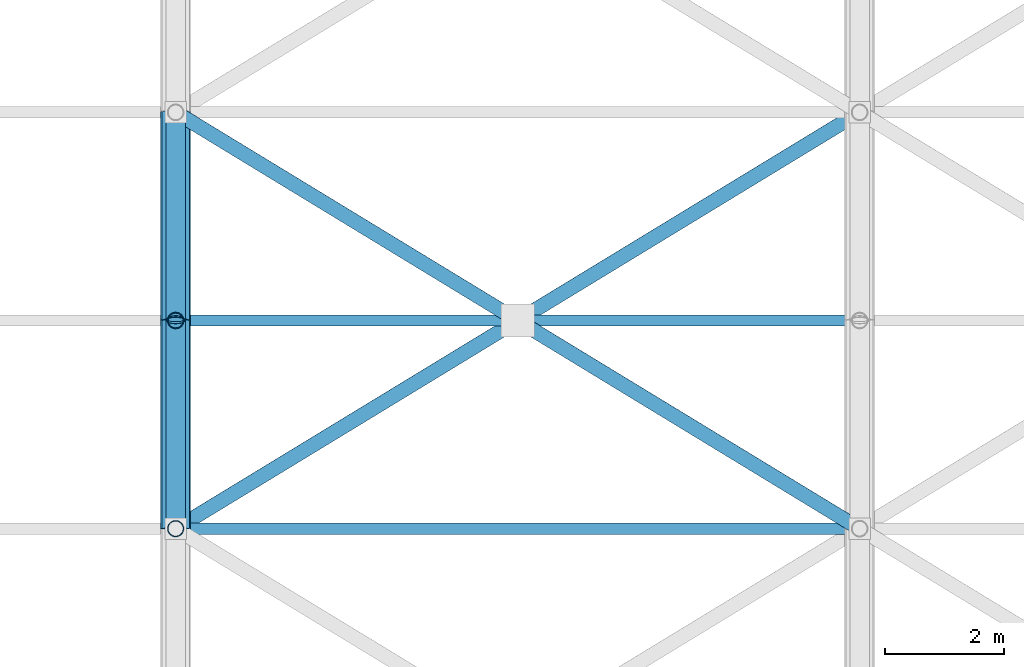
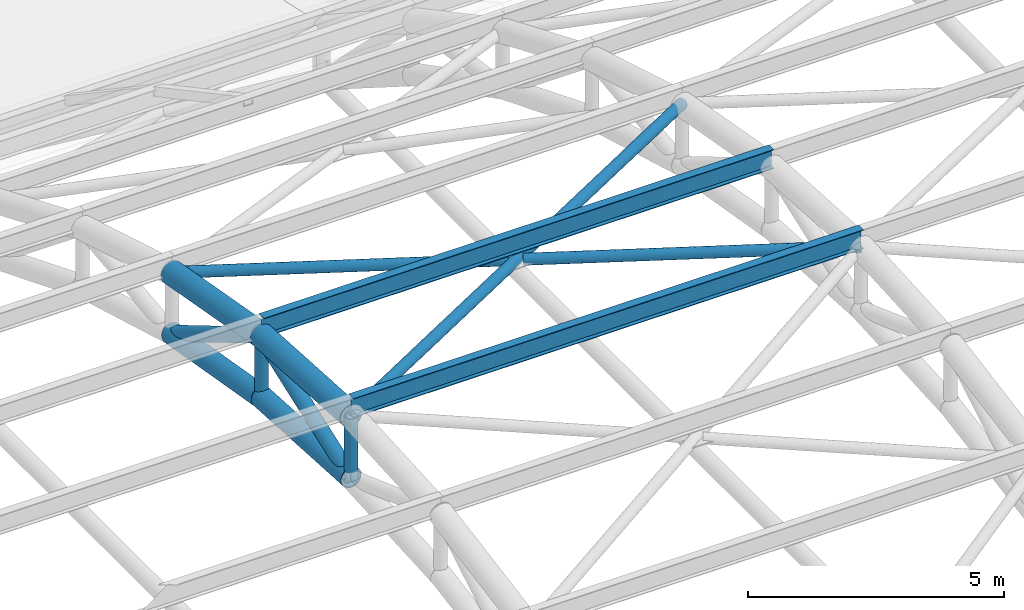
# One storey, part 54 of 154: 13 members.
"""IFC4 building model written with IfcOpenShell, lengths in metres."""

import ifcopenshell
import ifcopenshell.guid

model = None  # the IFC model being written
_history = None  # IfcOwnerHistory: only IFC2X3 demands one
_inside = {}  # id of a spatial element -> (the spatial element, [elements in it])
_under = {}  # id of a project, library or spatial element -> (it, [spatial elements below it])
_declared = {}  # id of a project -> (the project, [libraries it declares])
_typed = {}  # id of a type object -> (the type object, [elements of that type])
_made_of = {}  # id of a material, layer set ... -> (it, [elements and type objects made of it])


def new_model(schema):
    """Start an empty IFC model of exactly this schema.

    Asked for "IFC4X3", IfcOpenShell would pick the latest addendum, in which some entities
    have other attributes; the version numbers below select the first issue.
    IFC2X3 requires an IfcOwnerHistory on every rooted entity: one is made here for all.
    """
    global model, _history
    if schema == "IFC4X3":
        model = ifcopenshell.file(schema_version=(4, 3, 0, 0))
    else:
        model = ifcopenshell.file(schema=schema)
    _inside.clear()
    _under.clear()
    _declared.clear()
    _typed.clear()
    _made_of.clear()
    _history = None
    if model.schema == "IFC2X3":
        org = make("IfcOrganization", Name="unknown")
        user = make(
            "IfcPersonAndOrganization",
            ThePerson=make("IfcPerson", FamilyName="unknown"),
            TheOrganization=org,
        )
        app = make(
            "IfcApplication",
            ApplicationDeveloper=org,
            Version="unknown",
            ApplicationFullName="unknown",
            ApplicationIdentifier="unknown",
        )
        _history = make(
            "IfcOwnerHistory",
            OwningUser=user,
            OwningApplication=app,
            ChangeAction="ADDED",
            CreationDate=0,
        )
    return model


def make(cls, **values):
    """One entity of the class cls with the attributes given. An attribute that is None is left unset."""
    return model.create_entity(
        cls, **{name: value for name, value in values.items() if value is not None}
    )


def rooted(cls, **values):
    """An entity with a GlobalId (a new one), such as an element, a storey or a relation."""
    return make(cls, GlobalId=ifcopenshell.guid.new(), OwnerHistory=_history, **values)


def si_unit(unit_type, name, prefix=None):
    """IfcSIUnit, for example si_unit("LENGTHUNIT", "METRE", prefix="MILLI")."""
    return make("IfcSIUnit", UnitType=unit_type, Prefix=prefix, Name=name)


def assignment(units):
    """IfcUnitAssignment: the units of a project."""
    return None if units is None else make("IfcUnitAssignment", Units=units)


def point(xyz):
    """IfcCartesianPoint."""
    return None if xyz is None else make("IfcCartesianPoint", Coordinates=xyz)


def direction(xyz):
    """IfcDirection."""
    return None if xyz is None else make("IfcDirection", DirectionRatios=xyz)


def frame(location, z_axis=None, x_axis=None):
    """IfcAxis2Placement3D, a coordinate frame: its origin and axes. An axis left out is left unset."""
    return make(
        "IfcAxis2Placement3D",
        Location=point(location),
        Axis=direction(z_axis),
        RefDirection=direction(x_axis),
    )


def frame_2d(location, x_axis=None):
    """IfcAxis2Placement2D, a coordinate frame in the plane: its origin and x axis."""
    return make(
        "IfcAxis2Placement2D", Location=point(location), RefDirection=direction(x_axis)
    )


def origin():
    """The frame at (0, 0, 0) with its axes left unset."""
    return frame((0.0, 0.0, 0.0))


def origin_2d():
    """The frame at (0, 0) in the plane with its x axis left unset."""
    return frame_2d((0.0, 0.0))


def place(relative_to, where):
    """IfcLocalPlacement: puts the frame where relative to a parent placement (None: the world)."""
    return make(
        "IfcLocalPlacement", PlacementRelTo=relative_to, RelativePlacement=where
    )


def context(
    kind, dimensions, precision=None, world=None, true_north=None, identifier=None
):
    """IfcGeometricRepresentationContext, for example the 3D "Model" context."""
    return make(
        "IfcGeometricRepresentationContext",
        ContextIdentifier=identifier,
        ContextType=kind,
        CoordinateSpaceDimension=dimensions,
        Precision=precision,
        WorldCoordinateSystem=world,
        TrueNorth=true_north,
    )


def subcontext(parent, identifier, kind, view, scale=None):
    """IfcGeometricRepresentationSubContext, for example "Body" below "Model"."""
    return make(
        "IfcGeometricRepresentationSubContext",
        ContextIdentifier=identifier,
        ContextType=kind,
        ParentContext=parent,
        TargetScale=scale,
        TargetView=view,
    )


def project(units=None, contexts=None):
    """IfcProject with its units and contexts."""
    return rooted(
        "IfcProject",
        Name="project",
        RepresentationContexts=contexts,
        UnitsInContext=assignment(units),
    )


def spatial(cls, under=None, at=None, **own):
    """A site, building, storey or space (cls), placed at a placement, below another one or the project."""
    s = rooted(cls, ObjectPlacement=at, **own)
    if under is not None:
        _under.setdefault(under.id(), (under, []))[1].append(s)
    return s


def profile(cls, at=None, kind="AREA", **sizes):
    """A parametric profile (cls). Its sizes go by their IFC names, for example OverallWidth=200.0."""
    return make(cls, ProfileType=kind, Position=at, **sizes)


def hollow_circle(**sizes):
    """IfcCircleHollowProfileDef."""
    return profile("IfcCircleHollowProfileDef", **sizes)


def i_section(**sizes):
    """IfcIShapeProfileDef."""
    return profile("IfcIShapeProfileDef", **sizes)


def extrude(swept, where, along, depth):
    """IfcExtrudedAreaSolid: the profile swept, set in the frame where, extruded along a direction by depth."""
    return make(
        "IfcExtrudedAreaSolid",
        SweptArea=swept,
        Position=where,
        ExtrudedDirection=direction(along),
        Depth=depth,
    )


def shape(context_of_items, identifier, shape_type, items):
    """IfcShapeRepresentation: the items that make up one representation, for example the "Body"."""
    return make(
        "IfcShapeRepresentation",
        ContextOfItems=context_of_items,
        RepresentationIdentifier=identifier,
        RepresentationType=shape_type,
        Items=items,
    )


def material(Name=None, Category=None):
    """IfcMaterial."""
    return make("IfcMaterial", Name=Name, Category=Category)


def material_profile(
    of_material, cross_section, Name=None, Category=None, Priority=None
):
    """IfcMaterialProfile: a cross section and its material."""
    return make(
        "IfcMaterialProfile",
        Name=Name,
        Material=of_material,
        Profile=cross_section,
        Priority=Priority,
        Category=Category,
    )


def profile_set(profiles, Name=None, composite=None):
    """IfcMaterialProfileSet."""
    return make(
        "IfcMaterialProfileSet",
        Name=Name,
        MaterialProfiles=profiles,
        CompositeProfile=composite,
    )


def made_of(thing, what):
    """Note that an element or type object is made of a material, layer set ...; save() writes the relation."""
    if what is not None:
        _made_of.setdefault(what.id(), (what, []))[1].append(thing)
    return thing


def type_object(cls, material=None, **own):
    """A type object (cls), such as IfcWallType, which elements share."""
    return made_of(rooted(cls, **own), material)


def element(
    cls,
    number,
    at=None,
    inside=None,
    cuts=None,
    type_object=None,
    material=None,
    context=None,
    identifier="Body",
    shape_type=None,
    held_by="IfcProductDefinitionShape",
    body=None,
    shapes=None,
    **own,
):
    """One element of the class cls, such as IfcWall. Its Tag is "e" and its number.

    at: its placement. inside: the storey or other place that contains it. cuts: it is an
    opening in that element (IfcRelVoidsElement). A single representation is given by context,
    identifier, shape_type and body (its items); several are given by shapes. held_by: the class
    of the entity that holds the representations. save() writes the other relations.
    """
    e = rooted(cls, Tag="e%d" % number, ObjectPlacement=at, **own)
    if body is not None:
        shapes = [shape(context, identifier, shape_type, body)]
    if shapes is not None:
        e.Representation = make(held_by, Representations=shapes)
    if inside is not None:
        _inside.setdefault(inside.id(), (inside, []))[1].append(e)
    if cuts is not None:
        rooted(
            "IfcRelVoidsElement", RelatingBuildingElement=cuts, RelatedOpeningElement=e
        )
    if type_object is not None:
        _typed.setdefault(type_object.id(), (type_object, []))[1].append(e)
    return made_of(e, material)


def aggregate(whole, parts):
    """IfcRelAggregates: a whole, such as a stair, and the parts it consists of."""
    return rooted("IfcRelAggregates", RelatingObject=whole, RelatedObjects=parts)


def save(model, path):
    """Write the relations noted so far, then the file.

    IfcRelAggregates (storeys below a building ...), IfcRelContainedInSpatialStructure (elements
    in a storey), IfcRelDefinesByType, IfcRelAssociatesMaterial and IfcRelDeclares: one each for
    every whole, place, type object, material and project.
    """
    for whole, parts in _under.values():
        aggregate(whole, parts)
    for where, things in _inside.values():
        rooted(
            "IfcRelContainedInSpatialStructure",
            RelatedElements=things,
            RelatingStructure=where,
        )
    for kind, things in _typed.values():
        rooted("IfcRelDefinesByType", RelatedObjects=things, RelatingType=kind)
    for what, things in _made_of.values():
        rooted("IfcRelAssociatesMaterial", RelatedObjects=things, RelatingMaterial=what)
    for by, libraries in _declared.values():
        rooted("IfcRelDeclares", RelatingContext=by, RelatedDefinitions=libraries)
    model.write(path)


model = new_model("IFC4")

# Units and contexts
model_context = context("Model", 3, precision=1e-05, world=origin(), true_north=direction((0.0, 1.0)))
body_context = subcontext(model_context, "Body", "Model", "MODEL_VIEW")
ifc_project = project(units=[si_unit("LENGTHUNIT", "METRE"), si_unit("AREAUNIT", "SQUARE_METRE"), si_unit("VOLUMEUNIT", "CUBIC_METRE"), si_unit("PLANEANGLEUNIT", "RADIAN"), si_unit("MASSUNIT", "GRAM", prefix="KILO")], contexts=[model_context])

# Site, building, storey
site_placement = place(None, origin())
site = spatial("IfcSite", under=ifc_project, at=site_placement, CompositionType="ELEMENT")
building_placement = place(site_placement, origin())
building = spatial("IfcBuilding", under=site, at=building_placement, Name="Ologun Quay Terminus", CompositionType="ELEMENT")
storey_placement = place(building_placement, frame((0.0, 0.0, 13.800048828125)))
storey = spatial("IfcBuildingStorey", under=building, at=storey_placement, Name="L03", CompositionType="ELEMENT", Elevation=13.800048828125)

# Members
ifc_material_1 = material(Name="Steel S355", Category="steel")
ifc_material_profile_1 = material_profile(ifc_material_1, hollow_circle(Radius=0.136474609375, WallThickness=0.010009765625, at=origin_2d()), Name="CHS 273x10")
ifc_profile_set_1 = profile_set([ifc_material_profile_1], Name="Steel S355")
member_type_1 = type_object("IfcMemberType", Name="Arch Truss Vertical Post CHS273", PredefinedType="STRUT", material=ifc_profile_set_1)
member_1_placement = place(storey_placement, frame((80.5, 57.0, 7.239990234375), z_axis=(0.0, 0.0, 1.0), x_axis=(1.0, 0.0, 0.0)))
element("IfcMember", 1, at=member_1_placement, inside=storey, type_object=member_type_1, Name="AW2 Arch Web Post 8-N6", PredefinedType="STRUT", context=body_context, shape_type="SweptSolid", body=[
    extrude(hollow_circle(Radius=0.136474609375, WallThickness=0.010009765625, at=origin_2d()), origin(), (0.0, 0.0, 1.0), 1.47998046875),
])
member_2_placement = place(storey_placement, frame((80.5, 60.5, 7.038818359375), z_axis=(0.0, 0.0, 1.0), x_axis=(1.0, 0.0, 0.0)))
element("IfcMember", 2, at=member_2_placement, inside=storey, type_object=member_type_1, Name="AW2 Arch Web Post 8-N7", PredefinedType="STRUT", context=body_context, shape_type="SweptSolid", body=[
    extrude(hollow_circle(Radius=0.136474609375, WallThickness=0.010009765625, at=origin_2d()), origin(), (0.0, 0.0, 1.0), 1.47216796875),
])
ifc_material_2 = material(Name="Steel S355", Category="steel")
ifc_material_profile_2 = material_profile(ifc_material_2, hollow_circle(Radius=0.161865234375, WallThickness=0.010009765625, at=origin_2d()), Name="CHS 323.9x10")
ifc_profile_set_2 = profile_set([ifc_material_profile_2], Name="Steel S355")
member_type_2 = type_object("IfcMemberType", Name="Arch Truss Web Diagonal CHS323", PredefinedType="BRACE", material=ifc_profile_set_2)
member_3_placement = place(storey_placement, frame((80.5, 57.0, 7.239990234375), z_axis=(0.0, 0.939942650142, 0.34133241048), x_axis=(-1.0, 0.0, 0.0)))
element("IfcMember", 3, at=member_3_placement, inside=storey, type_object=member_type_2, Name="AW1 Arch Web Diagonal 8-P7", PredefinedType="BRACE", context=body_context, shape_type="SweptSolid", body=[
    extrude(hollow_circle(Radius=0.161865234375, WallThickness=0.010009765625, at=origin_2d()), origin(), (0.0, 0.0, 1.0), 3.7236328125),
])
member_4_placement = place(storey_placement, frame((80.5, 60.5, 8.510986328125), z_axis=(0.0, 0.860144332958, -0.510050709715), x_axis=(-1.0, 0.0, 0.0)))
element("IfcMember", 4, at=member_4_placement, inside=storey, type_object=member_type_2, Name="AW1 Arch Web Diagonal 8-P8", PredefinedType="BRACE", context=body_context, shape_type="SweptSolid", body=[
    extrude(hollow_circle(Radius=0.161865234375, WallThickness=0.010009765625, at=origin_2d()), origin(), (0.0, 0.0, 1.0), 4.069091796875),
])
ifc_material_3 = material(Name="Steel S355", Category="steel")
ifc_material_profile_3 = material_profile(ifc_material_3, hollow_circle(Radius=0.228515625, WallThickness=0.01611328125, at=origin_2d()), Name="CHS 457x16")
ifc_profile_set_3 = profile_set([ifc_material_profile_3], Name="Steel S355")
member_type_3 = type_object("IfcMemberType", Name="Parabolic Arch Bottom Chord CHS457", PredefinedType="CHORD", material=ifc_profile_set_3)
member_5_placement = place(storey_placement, frame((80.5, 57.0, 7.239990234375), z_axis=(0.0, 0.998352239869, -0.057382969144), x_axis=(-1.0, 0.0, 0.0)))
element("IfcMember", 5, at=member_5_placement, inside=storey, type_object=member_type_3, Name="AC2 Arch Bottom Chord 8-P7", PredefinedType="CHORD", context=body_context, shape_type="SweptSolid", body=[
    extrude(hollow_circle(Radius=0.228515625, WallThickness=0.01611328125, at=origin_2d()), origin(), (0.0, 0.0, 1.0), 3.505859375),
])
member_6_placement = place(storey_placement, frame((80.5, 60.5, 7.038818359375), z_axis=(0.0, 0.985468449185, -0.16985857547), x_axis=(-1.0, 0.0, 0.0)))
element("IfcMember", 6, at=member_6_placement, inside=storey, type_object=member_type_3, Name="AC2 Arch Bottom Chord 8-P8", PredefinedType="CHORD", context=body_context, shape_type="SweptSolid", body=[
    extrude(hollow_circle(Radius=0.228515625, WallThickness=0.01611328125, at=origin_2d()), origin(), (0.0, 0.0, 1.0), 3.551513671875),
])
ifc_material_4 = material(Name="Steel S355", Category="steel")
ifc_material_profile_4 = material_profile(ifc_material_4, hollow_circle(Radius=0.25390625, WallThickness=0.01611328125, at=origin_2d()), Name="CHS 508x16")
ifc_profile_set_4 = profile_set([ifc_material_profile_4], Name="Steel S355")
member_type_4 = type_object("IfcMemberType", Name="Parabolic Arch Top Chord CHS508", PredefinedType="CHORD", material=ifc_profile_set_4)
member_7_placement = place(storey_placement, frame((80.5, 57.0, 8.719970703125), z_axis=(0.0, 0.998222121157, -0.0596036646), x_axis=(-1.0, 0.0, 0.0)))
element("IfcMember", 7, at=member_7_placement, inside=storey, type_object=member_type_4, Name="Arch Top Chord 8-P7", PredefinedType="CHORD", context=body_context, shape_type="SweptSolid", body=[
    extrude(hollow_circle(Radius=0.25390625, WallThickness=0.01611328125, at=origin_2d()), origin(), (0.0, 0.0, 1.0), 3.50634765625),
])
member_8_placement = place(storey_placement, frame((80.5, 60.5, 8.510986328125), z_axis=(0.0, 0.984344289591, -0.176256402859), x_axis=(-1.0, 0.0, 0.0)))
element("IfcMember", 8, at=member_8_placement, inside=storey, type_object=member_type_4, Name="Arch Top Chord 8-P8", PredefinedType="CHORD", context=body_context, shape_type="SweptSolid", body=[
    extrude(hollow_circle(Radius=0.25390625, WallThickness=0.01611328125, at=origin_2d()), origin(), (0.0, 0.0, 1.0), 3.5556640625),
])
ifc_material_5 = material(Name="Steel S355", Category="steel")
ifc_material_profile_5 = material_profile(ifc_material_5, hollow_circle(Radius=0.122314453125, WallThickness=0.008056640625, at=origin_2d()), Name="CHS 244.5x8")
ifc_profile_set_5 = profile_set([ifc_material_profile_5], Name="Steel S355")
member_type_5 = type_object("IfcMemberType", Name="Roof Plan Wind Brace Primary CHS244", PredefinedType="BRACE", material=ifc_profile_set_5)
member_9_placement = place(storey_placement, frame((80.5, 57.0, 8.719970703125), z_axis=(0.852557618704, 0.518948115733, -0.061954499168), x_axis=(-0.519946946896, 0.854198555614, 0.0)))
element("IfcMember", 9, at=member_9_placement, inside=storey, type_object=member_type_5, Name="Roof Wind Brace A B8-K6", PredefinedType="BRACE", context=body_context, shape_type="SweptSolid", body=[
    extrude(hollow_circle(Radius=0.122314453125, WallThickness=0.008056640625, at=origin_2d()), origin(), (0.0, 0.0, 1.0), 13.48876953125),
])
for number, where, z_axis, x_axis, name in (
    (10, (80.5, 64.0, 7.88427734375), (0.852563238847, -0.518938678703, 0.061956206405), (0.51993754691, 0.854204277274, 0.0), "Roof Wind Brace B1 B8-K6"),
    (11, (86.369384765625, 60.42724609375, 8.310791015625), (0.852563238847, -0.518938678703, 0.061956206405), (0.51993754691, 0.854204277274, 0.0), "Roof Wind Brace B2 B8-K6"),
):
    element("IfcMember", number, at=place(storey_placement, frame(where, z_axis=z_axis, x_axis=x_axis)), inside=storey, type_object=member_type_5, Name=name, PredefinedType="BRACE", context=body_context, shape_type="SweptSolid", body=[
        extrude(hollow_circle(Radius=0.122314453125, WallThickness=0.008056640625, at=origin_2d()), origin(), (0.0, 0.0, 1.0), 6.604248046875),
    ])
ifc_material_6 = material(Name="Steel S355", Category="steel")
ifc_material_profile_6 = material_profile(ifc_material_6, i_section(OverallWidth=0.1904296875, OverallDepth=0.45703125, WebThickness=0.009033203125, FlangeThickness=0.014404296875, at=origin_2d()), Name="UKB 457x191x74")
ifc_profile_set_6 = profile_set([ifc_material_profile_6], Name="Steel S355")
member_type_6 = type_object("IfcMemberType", Name="Train Shed Primary Roof Purlin UKB457", PredefinedType="PURLIN", material=ifc_profile_set_6)
for number, where, z_axis, x_axis, name in (
    (12, (80.5, 57.0, 8.948486328125), (1.0, 0.0, 0.0), (0.0, 1.0, 0.0), "PR1 Roof Purlin B8-N6"),
    (13, (80.5, 60.5, 8.739501953125), (1.0, 0.0, 0.0), (0.0, 1.0, 0.0), "PR1 Roof Purlin B8-N7"),
):
    element("IfcMember", number, at=place(storey_placement, frame(where, z_axis=z_axis, x_axis=x_axis)), inside=storey, type_object=member_type_6, Name=name, PredefinedType="PURLIN", context=body_context, shape_type="SweptSolid", body=[
        extrude(i_section(OverallWidth=0.1904296875, OverallDepth=0.45703125, WebThickness=0.009033203125, FlangeThickness=0.014404296875, at=origin_2d()), origin(), (0.0, 0.0, 1.0), 11.5),
    ])

save(model, "model.ifc")
